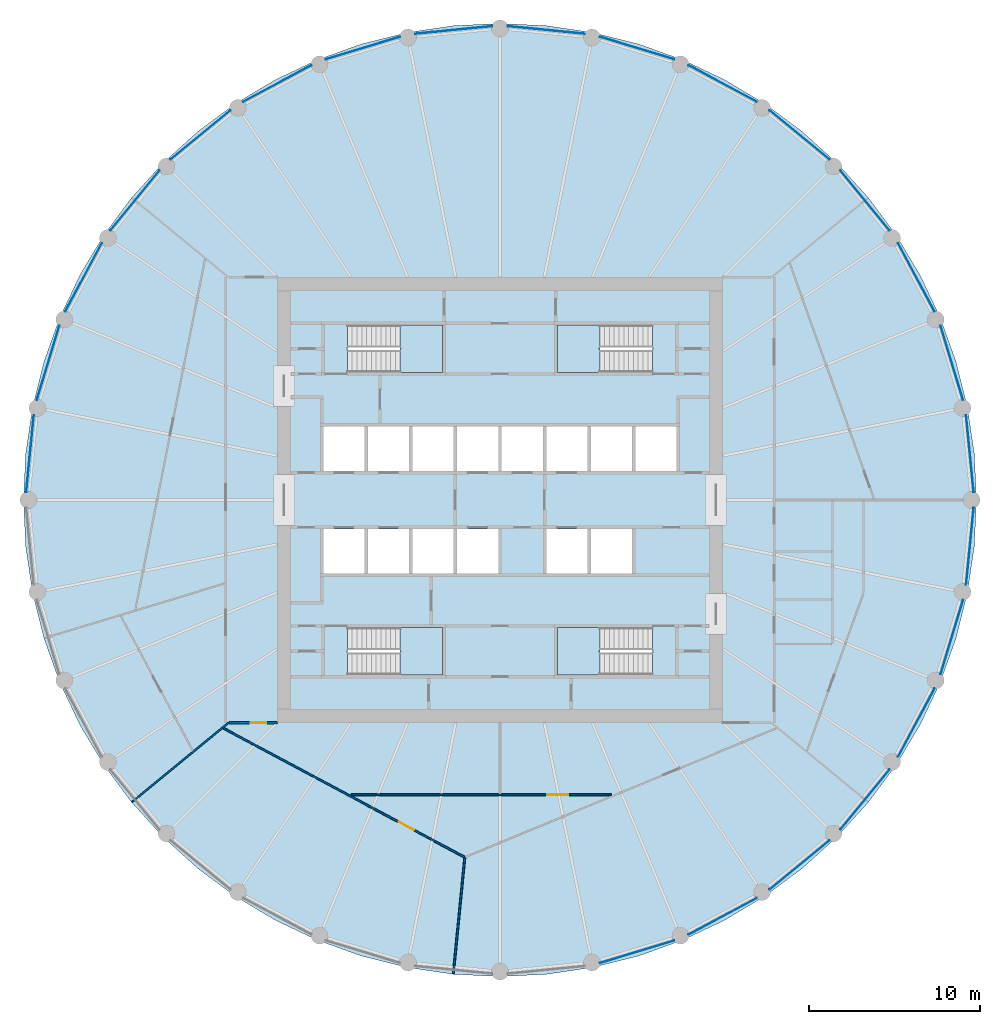
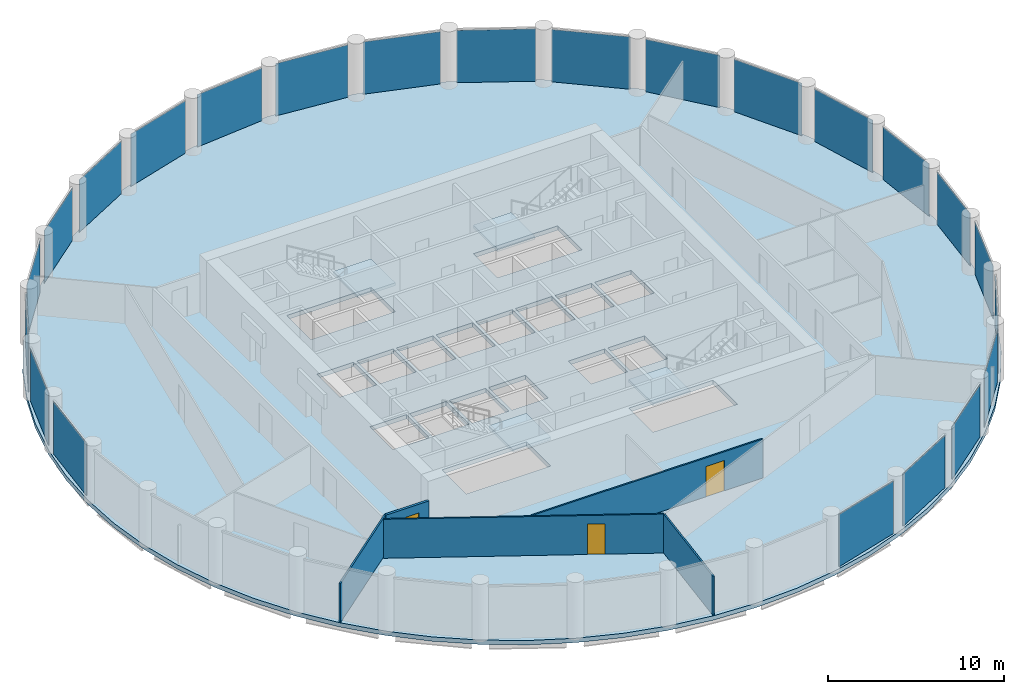
# One storey, part 3 of 8: 23 plates, 5 slabs, 5 walls, 3 doors, 3 openings, 27 elements without a shape of their own.
"""IFC4 building model written with IfcOpenShell, lengths in metres."""

from ifc_helpers import new_model, si_unit, direction, frame, frame_2d, origin, origin_2d, place, context, subcontext, project, spatial, polyline, rectangle, outline, extrude, material, layer, layer_set, type_object, element, fill, aggregate, save


model = new_model("IFC4")

# Units and contexts
model_context = context("Model", 3, precision=1e-05, world=origin(), true_north=direction((0.0, 1.0)))
body_context = subcontext(model_context, "Body", "Model", "MODEL_VIEW")
ifc_project = project(units=[si_unit("LENGTHUNIT", "METRE"), si_unit("AREAUNIT", "SQUARE_METRE"), si_unit("VOLUMEUNIT", "CUBIC_METRE"), si_unit("PLANEANGLEUNIT", "RADIAN"), si_unit("MASSUNIT", "GRAM", prefix="KILO")], contexts=[model_context])

# Site, building, storey
site_placement = place(None, origin())
site = spatial("IfcSite", under=ifc_project, at=site_placement, CompositionType="ELEMENT")
building_placement = place(site_placement, origin())
building = spatial("IfcBuilding", under=site, at=building_placement, Name="Corvane Civic Tower", CompositionType="ELEMENT")
storey_placement = place(building_placement, frame((0.0, 0.0, 205.5)))
storey = spatial("IfcBuildingStorey", under=building, at=storey_placement, Name="L48", CompositionType="ELEMENT", Elevation=205.5)

# Slab
ifc_material_1 = material(Name="Concrete C40/50", Category="concrete")
ifc_layer_1 = layer(ifc_material_1, 0.300048828125)
ifc_layer_set_1 = layer_set([ifc_layer_1], Name="Concrete C40/50")
slab_type_1 = type_object("IfcSlabType", Name="FLOOR SLAB 300", PredefinedType="FLOOR", material=ifc_layer_set_1)
slab_1_placement = place(storey_placement, frame((0.0, 0.0, -0.300048828125)))
element("IfcSlab", 1, at=slab_1_placement, inside=storey, type_object=slab_type_1, Name="SLB-L48", PredefinedType="FLOOR", context=body_context, shape_type="SweptSolid", body=[
    extrude(outline(polyline([(0.0, 27.800048828125), (-2.724853515625, 27.666015625), (-5.423583984375, 27.265869140625), (-8.06982421875, 26.60302734375), (-10.638671875, 25.683837890625), (-13.104736328125, 24.517333984375), (-15.44482421875, 23.11474609375), (-17.63623046875, 21.48974609375), (-19.657470703125, 19.657470703125), (-21.48974609375, 17.63623046875), (-23.11474609375, 15.44482421875), (-24.517333984375, 13.104736328125), (-25.683837890625, 10.638671875), (-26.60302734375, 8.06982421875), (-27.265869140625, 5.423583984375), (-27.666015625, 2.724853515625), (-27.800048828125, 0.0), (-27.666015625, -2.724853515625), (-27.265869140625, -5.423583984375), (-26.60302734375, -8.06982421875), (-25.683837890625, -10.638671875), (-24.517333984375, -13.104736328125), (-23.11474609375, -15.44482421875), (-21.48974609375, -17.63623046875), (-19.657470703125, -19.657470703125), (-17.63623046875, -21.48974609375), (-15.44482421875, -23.11474609375), (-13.104736328125, -24.517333984375), (-10.638671875, -25.683837890625), (-8.06982421875, -26.60302734375), (-5.423583984375, -27.265869140625), (-2.724853515625, -27.666015625), (0.0, -27.800048828125), (2.724853515625, -27.666015625), (5.423583984375, -27.265869140625), (8.06982421875, -26.60302734375), (10.638671875, -25.683837890625), (13.104736328125, -24.517333984375), (15.44482421875, -23.11474609375), (17.63623046875, -21.48974609375), (19.657470703125, -19.657470703125), (21.48974609375, -17.63623046875), (23.11474609375, -15.44482421875), (24.517333984375, -13.104736328125), (25.683837890625, -10.638671875), (26.60302734375, -8.06982421875), (27.265869140625, -5.423583984375), (27.666015625, -2.724853515625), (27.800048828125, 0.0), (27.666015625, 2.724853515625), (27.265869140625, 5.423583984375), (26.60302734375, 8.06982421875), (25.683837890625, 10.638671875), (24.517333984375, 13.104736328125), (23.11474609375, 15.44482421875), (21.48974609375, 17.63623046875), (19.657470703125, 19.657470703125), (17.63623046875, 21.48974609375), (15.44482421875, 23.11474609375), (13.104736328125, 24.517333984375), (10.638671875, 25.683837890625), (8.06982421875, 26.60302734375), (5.423583984375, 27.265869140625), (2.724853515625, 27.666015625), (0.0, 27.800048828125)]), holes=[polyline([(-10.300048828125, 4.300048828125), (-7.89990234375, 4.300048828125), (-7.89990234375, 1.699951171875), (-10.300048828125, 1.699951171875), (-10.300048828125, 4.300048828125)]), polyline([(-5.300048828125, 1.699951171875), (-7.699951171875, 1.699951171875), (-7.699951171875, 4.300048828125), (-5.300048828125, 4.300048828125), (-5.300048828125, 1.699951171875)]), polyline([(-5.10009765625, 4.300048828125), (-2.699951171875, 4.300048828125), (-2.699951171875, 1.699951171875), (-5.10009765625, 1.699951171875), (-5.10009765625, 4.300048828125)]), polyline([(-0.10009765625, 4.300048828125), (-0.10009765625, 1.699951171875), (-2.5, 1.699951171875), (-2.5, 4.300048828125), (-0.10009765625, 4.300048828125)]), polyline([(2.5, 4.300048828125), (2.5, 1.699951171875), (0.10009765625, 1.699951171875), (0.10009765625, 4.300048828125), (2.5, 4.300048828125)]), polyline([(2.699951171875, 4.300048828125), (5.10009765625, 4.300048828125), (5.10009765625, 1.699951171875), (2.699951171875, 1.699951171875), (2.699951171875, 4.300048828125)]), polyline([(5.300048828125, 4.300048828125), (7.699951171875, 4.300048828125), (7.699951171875, 1.699951171875), (5.300048828125, 1.699951171875), (5.300048828125, 4.300048828125)]), polyline([(7.89990234375, 4.300048828125), (10.300048828125, 4.300048828125), (10.300048828125, 1.699951171875), (7.89990234375, 1.699951171875), (7.89990234375, 4.300048828125)]), polyline([(-7.89990234375, -1.699951171875), (-7.89990234375, -4.300048828125), (-10.300048828125, -4.300048828125), (-10.300048828125, -1.699951171875), (-7.89990234375, -1.699951171875)]), polyline([(-5.300048828125, -1.699951171875), (-5.300048828125, -4.300048828125), (-7.699951171875, -4.300048828125), (-7.699951171875, -1.699951171875), (-5.300048828125, -1.699951171875)]), polyline([(-5.10009765625, -4.300048828125), (-5.10009765625, -1.699951171875), (-2.699951171875, -1.699951171875), (-2.699951171875, -4.300048828125), (-5.10009765625, -4.300048828125)]), polyline([(-2.5, -1.699951171875), (-0.10009765625, -1.699951171875), (-0.10009765625, -4.300048828125), (-2.5, -4.300048828125), (-2.5, -1.699951171875)]), polyline([(5.10009765625, -1.699951171875), (5.10009765625, -4.300048828125), (2.699951171875, -4.300048828125), (2.699951171875, -1.699951171875), (5.10009765625, -1.699951171875)]), polyline([(7.699951171875, -1.699951171875), (7.699951171875, -4.300048828125), (5.300048828125, -4.300048828125), (5.300048828125, -1.699951171875), (7.699951171875, -1.699951171875)]), polyline([(8.889892578125, 10.199951171875), (8.889892578125, 7.449951171875), (3.35009765625, 7.449951171875), (3.35009765625, 10.199951171875), (8.889892578125, 10.199951171875)]), polyline([(-8.889892578125, 7.449951171875), (-8.889892578125, 10.199951171875), (-3.35009765625, 10.199951171875), (-3.35009765625, 7.449951171875), (-8.889892578125, 7.449951171875)]), polyline([(8.889892578125, -7.449951171875), (8.889892578125, -10.199951171875), (3.35009765625, -10.199951171875), (3.35009765625, -7.449951171875), (8.889892578125, -7.449951171875)]), polyline([(-8.889892578125, -10.199951171875), (-8.889892578125, -7.449951171875), (-3.35009765625, -7.449951171875), (-3.35009765625, -10.199951171875), (-8.889892578125, -10.199951171875)])]), origin(), (0.0, 0.0, 1.0), 0.300048828125),
])

# Stair, slab
ifc_material_2 = material(Name="Concrete C40/50", Category="concrete")
stair_type = type_object("IfcStairType", Name="ST-STAIR-HALFTURN", PredefinedType="HALF_TURN_STAIR", material=ifc_material_2)
stair_1_placement = place(storey_placement, origin())
stair_1 = element("IfcStair", 2, at=stair_1_placement, inside=storey, type_object=stair_type, Name="L48 Exit stair ST1", PredefinedType="HALF_TURN_STAIR")
ifc_material_3 = material(Name="Concrete C40/50", Category="concrete")
ifc_layer_2 = layer(ifc_material_3, 0.199951171875)
ifc_layer_set_2 = layer_set([ifc_layer_2], Name="Concrete C40/50")
slab_type_2 = type_object("IfcSlabType", Name="ST-LANDING-RC", PredefinedType="LANDING", material=ifc_layer_set_2)
slab_2_placement = place(storey_placement, frame((0.0, 0.0, 1.800048828125)))
slab_2 = element("IfcSlab", 3, at=slab_2_placement, type_object=slab_type_2, Name="ST1 landing 1", PredefinedType="LANDING", context=body_context, shape_type="SweptSolid", body=[
    extrude(outline(polyline([(5.820068359375, 10.199951171875), (3.35009765625, 10.199951171875), (3.35009765625, 7.449951171875), (5.820068359375, 7.449951171875), (5.820068359375, 10.199951171875)])), origin(), (0.0, 0.0, 1.0), 0.199951171875),
])
aggregate(stair_1, [slab_2])

stair_2_placement = place(storey_placement, origin())
stair_2 = element("IfcStair", 4, at=stair_2_placement, inside=storey, type_object=stair_type, Name="L48 Exit stair ST2", PredefinedType="HALF_TURN_STAIR")
slab_3_placement = place(storey_placement, frame((0.0, 0.0, 1.800048828125)))
slab_3 = element("IfcSlab", 5, at=slab_3_placement, type_object=slab_type_2, Name="ST2 landing 1", PredefinedType="LANDING", context=body_context, shape_type="SweptSolid", body=[
    extrude(outline(polyline([(5.820068359375, -7.449951171875), (3.35009765625, -7.449951171875), (3.35009765625, -10.199951171875), (5.820068359375, -10.199951171875), (5.820068359375, -7.449951171875)])), origin(), (0.0, 0.0, 1.0), 0.199951171875),
])
aggregate(stair_2, [slab_3])

stair_3_placement = place(storey_placement, origin())
stair_3 = element("IfcStair", 6, at=stair_3_placement, inside=storey, type_object=stair_type, Name="L48 Exit stair ST3", PredefinedType="HALF_TURN_STAIR")
slab_4_placement = place(storey_placement, frame((0.0, 0.0, 1.800048828125)))
slab_4 = element("IfcSlab", 7, at=slab_4_placement, type_object=slab_type_2, Name="ST3 landing 1", PredefinedType="LANDING", context=body_context, shape_type="SweptSolid", body=[
    extrude(outline(polyline([(-5.820068359375, -10.199951171875), (-3.35009765625, -10.199951171875), (-3.35009765625, -7.449951171875), (-5.820068359375, -7.449951171875), (-5.820068359375, -10.199951171875)])), origin(), (0.0, 0.0, 1.0), 0.199951171875),
])
aggregate(stair_3, [slab_4])

stair_4_placement = place(storey_placement, origin())
stair_4 = element("IfcStair", 8, at=stair_4_placement, inside=storey, type_object=stair_type, Name="L48 Exit stair ST4", PredefinedType="HALF_TURN_STAIR")
slab_5_placement = place(storey_placement, frame((0.0, 0.0, 1.800048828125)))
slab_5 = element("IfcSlab", 9, at=slab_5_placement, type_object=slab_type_2, Name="ST4 landing 1", PredefinedType="LANDING", context=body_context, shape_type="SweptSolid", body=[
    extrude(outline(polyline([(-5.820068359375, 7.449951171875), (-3.35009765625, 7.449951171875), (-3.35009765625, 10.199951171875), (-5.820068359375, 10.199951171875), (-5.820068359375, 7.449951171875)])), origin(), (0.0, 0.0, 1.0), 0.199951171875),
])
aggregate(stair_4, [slab_5])

# Curtain wall, plate
ifc_material_4 = material(Name="Anodised aluminium bronze", Category="aluminium")
curtain_wall_type = type_object("IfcCurtainWallType", Name="TOWER CW-T2 STICK CURTAIN WALL", PredefinedType="NOTDEFINED", material=ifc_material_4)
curtain_wall_1_placement = place(storey_placement, origin())
curtain_wall_1 = element("IfcCurtainWall", 10, at=curtain_wall_1_placement, inside=storey, type_object=curtain_wall_type, Name="Curtain wall CW-T2 L48 bay 01", PredefinedType="NOTDEFINED")
ifc_material_5 = material(Name="Tinted glass", Category="glass")
ifc_layer_3 = layer(ifc_material_5, 0.031982421875)
ifc_layer_set_3 = layer_set([ifc_layer_3], Name="Tinted glass")
plate_type = type_object("IfcPlateType", Name="TOWER CW-T2 PANEL IGU32", PredefinedType="CURTAIN_PANEL", material=ifc_layer_set_3)
plate_1_placement = place(storey_placement, frame((2.699951171875, 27.4140625, 0.0), z_axis=(0.0, 0.0, 1.0), x_axis=(0.995187058378, -0.097993463235, 0.0)))
plate_1 = element("IfcPlate", 11, at=plate_1_placement, type_object=plate_type, Name="Glass panel CW-T2 L48 01.1", PredefinedType="CURTAIN_PANEL", context=body_context, shape_type="SweptSolid", body=[
    extrude(rectangle(XDim=4.517333984375, YDim=0.031982421875, at=origin_2d()), origin(), (0.0, 0.0, 1.0), 3.6298828125),
])
aggregate(curtain_wall_1, [plate_1])

curtain_wall_2_placement = place(storey_placement, origin())
curtain_wall_2 = element("IfcCurtainWall", 12, at=curtain_wall_2_placement, inside=storey, type_object=curtain_wall_type, Name="Curtain wall CW-T2 L48 bay 02", PredefinedType="NOTDEFINED")
plate_2_placement = place(storey_placement, frame((7.996337890625, 26.360595703125, 0.0), z_axis=(0.0, 0.0, 1.0), x_axis=(0.956938843612, -0.290289596069, 0.0)))
plate_2 = element("IfcPlate", 13, at=plate_2_placement, type_object=plate_type, Name="Glass panel CW-T2 L48 02.1", PredefinedType="CURTAIN_PANEL", context=body_context, shape_type="SweptSolid", body=[
    extrude(rectangle(XDim=4.517333984375, YDim=0.031982421875, at=origin_2d()), origin(), (0.0, 0.0, 1.0), 3.6298828125),
])
aggregate(curtain_wall_2, [plate_2])

curtain_wall_3_placement = place(storey_placement, origin())
curtain_wall_3 = element("IfcCurtainWall", 14, at=curtain_wall_3_placement, inside=storey, type_object=curtain_wall_type, Name="Curtain wall CW-T2 L48 bay 03", PredefinedType="NOTDEFINED")
plate_3_placement = place(storey_placement, frame((12.9853515625, 24.294189453125, 0.0), z_axis=(0.0, 0.0, 1.0), x_axis=(0.881920381001, -0.471398389449, 0.0)))
plate_3 = element("IfcPlate", 15, at=plate_3_placement, type_object=plate_type, Name="Glass panel CW-T2 L48 03.1", PredefinedType="CURTAIN_PANEL", context=body_context, shape_type="SweptSolid", body=[
    extrude(rectangle(XDim=4.517333984375, YDim=0.031982421875, at=origin_2d()), origin(), (0.0, 0.0, 1.0), 3.6298828125),
])
aggregate(curtain_wall_3, [plate_3])

curtain_wall_4_placement = place(storey_placement, origin())
curtain_wall_4 = element("IfcCurtainWall", 16, at=curtain_wall_4_placement, inside=storey, type_object=curtain_wall_type, Name="Curtain wall CW-T2 L48 bay 04", PredefinedType="NOTDEFINED")
plate_4_placement = place(storey_placement, frame((17.475341796875, 21.2939453125, 0.0), z_axis=(0.0, 0.0, 1.0), x_axis=(0.773012269331, -0.634391071394, 0.0)))
plate_4 = element("IfcPlate", 17, at=plate_4_placement, type_object=plate_type, Name="Glass panel CW-T2 L48 04.1", PredefinedType="CURTAIN_PANEL", context=body_context, shape_type="SweptSolid", body=[
    extrude(rectangle(XDim=4.517333984375, YDim=0.031982421875, at=origin_2d()), origin(), (0.0, 0.0, 1.0), 3.6298828125),
])
aggregate(curtain_wall_4, [plate_4])

curtain_wall_5_placement = place(storey_placement, origin())
curtain_wall_5 = element("IfcCurtainWall", 18, at=curtain_wall_5_placement, inside=storey, type_object=curtain_wall_type, Name="Curtain wall CW-T2 L48 bay 05", PredefinedType="NOTDEFINED")
plate_5_placement = place(storey_placement, frame((21.2939453125, 17.475341796875, 0.0), z_axis=(0.0, 0.0, 1.0), x_axis=(0.634391071394, -0.773012269331, 0.0)))
plate_5 = element("IfcPlate", 19, at=plate_5_placement, type_object=plate_type, Name="Glass panel CW-T2 L48 05.1", PredefinedType="CURTAIN_PANEL", context=body_context, shape_type="SweptSolid", body=[
    extrude(rectangle(XDim=4.517333984375, YDim=0.031982421875, at=origin_2d()), origin(), (0.0, 0.0, 1.0), 3.6298828125),
])
aggregate(curtain_wall_5, [plate_5])

curtain_wall_6_placement = place(storey_placement, origin())
curtain_wall_6 = element("IfcCurtainWall", 20, at=curtain_wall_6_placement, inside=storey, type_object=curtain_wall_type, Name="Curtain wall CW-T2 L48 bay 06", PredefinedType="NOTDEFINED")
plate_6_placement = place(storey_placement, frame((24.294189453125, 12.9853515625, 0.0), z_axis=(0.0, 0.0, 1.0), x_axis=(0.471398389449, -0.881920381001, 0.0)))
plate_6 = element("IfcPlate", 21, at=plate_6_placement, type_object=plate_type, Name="Glass panel CW-T2 L48 06.1", PredefinedType="CURTAIN_PANEL", context=body_context, shape_type="SweptSolid", body=[
    extrude(rectangle(XDim=4.517333984375, YDim=0.031982421875, at=origin_2d()), origin(), (0.0, 0.0, 1.0), 3.6298828125),
])
aggregate(curtain_wall_6, [plate_6])

curtain_wall_7_placement = place(storey_placement, origin())
curtain_wall_7 = element("IfcCurtainWall", 22, at=curtain_wall_7_placement, inside=storey, type_object=curtain_wall_type, Name="Curtain wall CW-T2 L48 bay 07", PredefinedType="NOTDEFINED")
plate_7_placement = place(storey_placement, frame((26.360595703125, 7.996337890625, 0.0), z_axis=(0.0, 0.0, 1.0), x_axis=(0.290289596069, -0.956938843612, 0.0)))
plate_7 = element("IfcPlate", 23, at=plate_7_placement, type_object=plate_type, Name="Glass panel CW-T2 L48 07.1", PredefinedType="CURTAIN_PANEL", context=body_context, shape_type="SweptSolid", body=[
    extrude(rectangle(XDim=4.517333984375, YDim=0.031982421875, at=origin_2d()), origin(), (0.0, 0.0, 1.0), 3.6298828125),
])
aggregate(curtain_wall_7, [plate_7])

curtain_wall_8_placement = place(storey_placement, origin())
curtain_wall_8 = element("IfcCurtainWall", 24, at=curtain_wall_8_placement, inside=storey, type_object=curtain_wall_type, Name="Curtain wall CW-T2 L48 bay 08", PredefinedType="NOTDEFINED")
plate_8_placement = place(storey_placement, frame((27.4140625, 2.699951171875, 0.0), z_axis=(0.0, 0.0, 1.0), x_axis=(0.097993463235, -0.995187058378, 0.0)))
plate_8 = element("IfcPlate", 25, at=plate_8_placement, type_object=plate_type, Name="Glass panel CW-T2 L48 08.1", PredefinedType="CURTAIN_PANEL", context=body_context, shape_type="SweptSolid", body=[
    extrude(rectangle(XDim=4.517333984375, YDim=0.031982421875, at=origin_2d()), origin(), (0.0, 0.0, 1.0), 3.6298828125),
])
aggregate(curtain_wall_8, [plate_8])

curtain_wall_9_placement = place(storey_placement, origin())
curtain_wall_9 = element("IfcCurtainWall", 26, at=curtain_wall_9_placement, inside=storey, type_object=curtain_wall_type, Name="Curtain wall CW-T2 L48 bay 09", PredefinedType="NOTDEFINED")
plate_9_placement = place(storey_placement, frame((27.4140625, -2.699951171875, 0.0), z_axis=(0.0, 0.0, 1.0), x_axis=(-0.097993463235, -0.995187058378, 0.0)))
plate_9 = element("IfcPlate", 27, at=plate_9_placement, type_object=plate_type, Name="Glass panel CW-T2 L48 09.1", PredefinedType="CURTAIN_PANEL", context=body_context, shape_type="SweptSolid", body=[
    extrude(rectangle(XDim=4.517333984375, YDim=0.031982421875, at=origin_2d()), origin(), (0.0, 0.0, 1.0), 3.6298828125),
])
aggregate(curtain_wall_9, [plate_9])

curtain_wall_10_placement = place(storey_placement, origin())
curtain_wall_10 = element("IfcCurtainWall", 28, at=curtain_wall_10_placement, inside=storey, type_object=curtain_wall_type, Name="Curtain wall CW-T2 L48 bay 10", PredefinedType="NOTDEFINED")
plate_10_placement = place(storey_placement, frame((26.360595703125, -7.996337890625, 0.0), z_axis=(0.0, 0.0, 1.0), x_axis=(-0.290289596069, -0.956938843612, 0.0)))
plate_10 = element("IfcPlate", 29, at=plate_10_placement, type_object=plate_type, Name="Glass panel CW-T2 L48 10.1", PredefinedType="CURTAIN_PANEL", context=body_context, shape_type="SweptSolid", body=[
    extrude(rectangle(XDim=4.517333984375, YDim=0.031982421875, at=origin_2d()), origin(), (0.0, 0.0, 1.0), 3.6298828125),
])
aggregate(curtain_wall_10, [plate_10])

curtain_wall_11_placement = place(storey_placement, origin())
curtain_wall_11 = element("IfcCurtainWall", 30, at=curtain_wall_11_placement, inside=storey, type_object=curtain_wall_type, Name="Curtain wall CW-T2 L48 bay 11", PredefinedType="NOTDEFINED")
plate_11_placement = place(storey_placement, frame((24.294189453125, -12.9853515625, 0.0), z_axis=(0.0, 0.0, 1.0), x_axis=(-0.471398389449, -0.881920381001, 0.0)))
plate_11 = element("IfcPlate", 31, at=plate_11_placement, type_object=plate_type, Name="Glass panel CW-T2 L48 11.1", PredefinedType="CURTAIN_PANEL", context=body_context, shape_type="SweptSolid", body=[
    extrude(rectangle(XDim=4.517333984375, YDim=0.031982421875, at=origin_2d()), origin(), (0.0, 0.0, 1.0), 3.6298828125),
])
aggregate(curtain_wall_11, [plate_11])

curtain_wall_12_placement = place(storey_placement, origin())
curtain_wall_12 = element("IfcCurtainWall", 32, at=curtain_wall_12_placement, inside=storey, type_object=curtain_wall_type, Name="Curtain wall CW-T2 L48 bay 12", PredefinedType="NOTDEFINED")
plate_12_placement = place(storey_placement, frame((21.2939453125, -17.475341796875, 0.0), z_axis=(0.0, 0.0, 1.0), x_axis=(-0.634391071394, -0.773012269331, 0.0)))
plate_12 = element("IfcPlate", 33, at=plate_12_placement, type_object=plate_type, Name="Glass panel CW-T2 L48 12.1", PredefinedType="CURTAIN_PANEL", context=body_context, shape_type="SweptSolid", body=[
    extrude(rectangle(XDim=4.517333984375, YDim=0.031982421875, at=origin_2d()), origin(), (0.0, 0.0, 1.0), 3.6298828125),
])
aggregate(curtain_wall_12, [plate_12])

curtain_wall_13_placement = place(storey_placement, origin())
curtain_wall_13 = element("IfcCurtainWall", 34, at=curtain_wall_13_placement, inside=storey, type_object=curtain_wall_type, Name="Curtain wall CW-T2 L48 bay 13", PredefinedType="NOTDEFINED")
plate_13_placement = place(storey_placement, frame((17.475341796875, -21.2939453125, 0.0), z_axis=(0.0, 0.0, 1.0), x_axis=(-0.773012269331, -0.634391071394, 0.0)))
plate_13 = element("IfcPlate", 35, at=plate_13_placement, type_object=plate_type, Name="Glass panel CW-T2 L48 13.1", PredefinedType="CURTAIN_PANEL", context=body_context, shape_type="SweptSolid", body=[
    extrude(rectangle(XDim=4.517333984375, YDim=0.031982421875, at=origin_2d()), origin(), (0.0, 0.0, 1.0), 3.6298828125),
])
aggregate(curtain_wall_13, [plate_13])

curtain_wall_14_placement = place(storey_placement, origin())
curtain_wall_14 = element("IfcCurtainWall", 36, at=curtain_wall_14_placement, inside=storey, type_object=curtain_wall_type, Name="Curtain wall CW-T2 L48 bay 14", PredefinedType="NOTDEFINED")
plate_14_placement = place(storey_placement, frame((12.9853515625, -24.294189453125, 0.0), z_axis=(0.0, 0.0, 1.0), x_axis=(-0.881920381001, -0.471398389449, 0.0)))
plate_14 = element("IfcPlate", 37, at=plate_14_placement, type_object=plate_type, Name="Glass panel CW-T2 L48 14.1", PredefinedType="CURTAIN_PANEL", context=body_context, shape_type="SweptSolid", body=[
    extrude(rectangle(XDim=4.517333984375, YDim=0.031982421875, at=origin_2d()), origin(), (0.0, 0.0, 1.0), 3.6298828125),
])
aggregate(curtain_wall_14, [plate_14])

curtain_wall_15_placement = place(storey_placement, origin())
curtain_wall_15 = element("IfcCurtainWall", 38, at=curtain_wall_15_placement, inside=storey, type_object=curtain_wall_type, Name="Curtain wall CW-T2 L48 bay 15", PredefinedType="NOTDEFINED")
plate_15_placement = place(storey_placement, frame((7.996337890625, -26.360595703125, 0.0), z_axis=(0.0, 0.0, 1.0), x_axis=(-0.956938843612, -0.290289596069, 0.0)))
plate_15 = element("IfcPlate", 39, at=plate_15_placement, type_object=plate_type, Name="Glass panel CW-T2 L48 15.1", PredefinedType="CURTAIN_PANEL", context=body_context, shape_type="SweptSolid", body=[
    extrude(rectangle(XDim=4.517333984375, YDim=0.031982421875, at=origin_2d()), origin(), (0.0, 0.0, 1.0), 3.6298828125),
])
aggregate(curtain_wall_15, [plate_15])

curtain_wall_16_placement = place(storey_placement, origin())
curtain_wall_16 = element("IfcCurtainWall", 40, at=curtain_wall_16_placement, inside=storey, type_object=curtain_wall_type, Name="Curtain wall CW-T2 L48 bay 25", PredefinedType="NOTDEFINED")
plate_16_placement = place(storey_placement, frame((-27.4140625, 2.699951171875, 0.0), z_axis=(0.0, 0.0, 1.0), x_axis=(0.097993463235, 0.995187058378, 0.0)))
plate_16 = element("IfcPlate", 41, at=plate_16_placement, type_object=plate_type, Name="Glass panel CW-T2 L48 25.1", PredefinedType="CURTAIN_PANEL", context=body_context, shape_type="SweptSolid", body=[
    extrude(rectangle(XDim=4.517333984375, YDim=0.031982421875, at=origin_2d()), origin(), (0.0, 0.0, 1.0), 3.6298828125),
])
aggregate(curtain_wall_16, [plate_16])

curtain_wall_17_placement = place(storey_placement, origin())
curtain_wall_17 = element("IfcCurtainWall", 42, at=curtain_wall_17_placement, inside=storey, type_object=curtain_wall_type, Name="Curtain wall CW-T2 L48 bay 26", PredefinedType="NOTDEFINED")
plate_17_placement = place(storey_placement, frame((-26.360595703125, 7.996337890625, 0.0), z_axis=(0.0, 0.0, 1.0), x_axis=(0.290289596069, 0.956938843612, 0.0)))
plate_17 = element("IfcPlate", 43, at=plate_17_placement, type_object=plate_type, Name="Glass panel CW-T2 L48 26.1", PredefinedType="CURTAIN_PANEL", context=body_context, shape_type="SweptSolid", body=[
    extrude(rectangle(XDim=4.517333984375, YDim=0.031982421875, at=origin_2d()), origin(), (0.0, 0.0, 1.0), 3.6298828125),
])
aggregate(curtain_wall_17, [plate_17])

curtain_wall_18_placement = place(storey_placement, origin())
curtain_wall_18 = element("IfcCurtainWall", 44, at=curtain_wall_18_placement, inside=storey, type_object=curtain_wall_type, Name="Curtain wall CW-T2 L48 bay 27", PredefinedType="NOTDEFINED")
plate_18_placement = place(storey_placement, frame((-24.294189453125, 12.9853515625, 0.0), z_axis=(0.0, 0.0, 1.0), x_axis=(0.471398389449, 0.881920381001, 0.0)))
plate_18 = element("IfcPlate", 45, at=plate_18_placement, type_object=plate_type, Name="Glass panel CW-T2 L48 27.1", PredefinedType="CURTAIN_PANEL", context=body_context, shape_type="SweptSolid", body=[
    extrude(rectangle(XDim=4.517333984375, YDim=0.031982421875, at=origin_2d()), origin(), (0.0, 0.0, 1.0), 3.6298828125),
])
aggregate(curtain_wall_18, [plate_18])

curtain_wall_19_placement = place(storey_placement, origin())
curtain_wall_19 = element("IfcCurtainWall", 46, at=curtain_wall_19_placement, inside=storey, type_object=curtain_wall_type, Name="Curtain wall CW-T2 L48 bay 28", PredefinedType="NOTDEFINED")
plate_19_placement = place(storey_placement, frame((-21.2939453125, 17.475341796875, 0.0), z_axis=(0.0, 0.0, 1.0), x_axis=(0.634391071394, 0.773012269331, 0.0)))
plate_19 = element("IfcPlate", 47, at=plate_19_placement, type_object=plate_type, Name="Glass panel CW-T2 L48 28.1", PredefinedType="CURTAIN_PANEL", context=body_context, shape_type="SweptSolid", body=[
    extrude(rectangle(XDim=4.517333984375, YDim=0.031982421875, at=origin_2d()), origin(), (0.0, 0.0, 1.0), 3.6298828125),
])
aggregate(curtain_wall_19, [plate_19])

curtain_wall_20_placement = place(storey_placement, origin())
curtain_wall_20 = element("IfcCurtainWall", 48, at=curtain_wall_20_placement, inside=storey, type_object=curtain_wall_type, Name="Curtain wall CW-T2 L48 bay 29", PredefinedType="NOTDEFINED")
plate_20_placement = place(storey_placement, frame((-17.475341796875, 21.2939453125, 0.0), z_axis=(0.0, 0.0, 1.0), x_axis=(0.773012269331, 0.634391071394, 0.0)))
plate_20 = element("IfcPlate", 49, at=plate_20_placement, type_object=plate_type, Name="Glass panel CW-T2 L48 29.1", PredefinedType="CURTAIN_PANEL", context=body_context, shape_type="SweptSolid", body=[
    extrude(rectangle(XDim=4.517333984375, YDim=0.031982421875, at=origin_2d()), origin(), (0.0, 0.0, 1.0), 3.6298828125),
])
aggregate(curtain_wall_20, [plate_20])

curtain_wall_21_placement = place(storey_placement, origin())
curtain_wall_21 = element("IfcCurtainWall", 50, at=curtain_wall_21_placement, inside=storey, type_object=curtain_wall_type, Name="Curtain wall CW-T2 L48 bay 30", PredefinedType="NOTDEFINED")
plate_21_placement = place(storey_placement, frame((-12.9853515625, 24.294189453125, 0.0), z_axis=(0.0, 0.0, 1.0), x_axis=(0.881920381001, 0.471398389449, 0.0)))
plate_21 = element("IfcPlate", 51, at=plate_21_placement, type_object=plate_type, Name="Glass panel CW-T2 L48 30.1", PredefinedType="CURTAIN_PANEL", context=body_context, shape_type="SweptSolid", body=[
    extrude(rectangle(XDim=4.517333984375, YDim=0.031982421875, at=origin_2d()), origin(), (0.0, 0.0, 1.0), 3.6298828125),
])
aggregate(curtain_wall_21, [plate_21])

curtain_wall_22_placement = place(storey_placement, origin())
curtain_wall_22 = element("IfcCurtainWall", 52, at=curtain_wall_22_placement, inside=storey, type_object=curtain_wall_type, Name="Curtain wall CW-T2 L48 bay 31", PredefinedType="NOTDEFINED")
plate_22_placement = place(storey_placement, frame((-7.996337890625, 26.360595703125, 0.0), z_axis=(0.0, 0.0, 1.0), x_axis=(0.956938843612, 0.290289596069, 0.0)))
plate_22 = element("IfcPlate", 53, at=plate_22_placement, type_object=plate_type, Name="Glass panel CW-T2 L48 31.1", PredefinedType="CURTAIN_PANEL", context=body_context, shape_type="SweptSolid", body=[
    extrude(rectangle(XDim=4.517333984375, YDim=0.031982421875, at=origin_2d()), origin(), (0.0, 0.0, 1.0), 3.6298828125),
])
aggregate(curtain_wall_22, [plate_22])

curtain_wall_23_placement = place(storey_placement, origin())
curtain_wall_23 = element("IfcCurtainWall", 54, at=curtain_wall_23_placement, inside=storey, type_object=curtain_wall_type, Name="Curtain wall CW-T2 L48 bay 32", PredefinedType="NOTDEFINED")
plate_23_placement = place(storey_placement, frame((-2.699951171875, 27.4140625, 0.0), z_axis=(0.0, 0.0, 1.0), x_axis=(0.995187058378, 0.097993463235, 0.0)))
plate_23 = element("IfcPlate", 55, at=plate_23_placement, type_object=plate_type, Name="Glass panel CW-T2 L48 32.1", PredefinedType="CURTAIN_PANEL", context=body_context, shape_type="SweptSolid", body=[
    extrude(rectangle(XDim=4.517333984375, YDim=0.031982421875, at=origin_2d()), origin(), (0.0, 0.0, 1.0), 3.6298828125),
])
aggregate(curtain_wall_23, [plate_23])

# Wall
ifc_material_6 = material(Name="Plasterboard")
ifc_layer_4 = layer(ifc_material_6, 0.10009765625)
ifc_layer_set_4 = layer_set([ifc_layer_4], Name="Plasterboard")
wall_type_1 = type_object("IfcWallType", Name="Partition 100 plasterboard on studs", PredefinedType="PARTITIONING", material=ifc_layer_set_4)
wall_1_placement = place(storey_placement, frame((-2.719970703125, -27.616455078125, 0.0), z_axis=(0.0, 0.0, 1.0), x_axis=(0.09802284728, 0.99518416457, 0.0)))
element("IfcWall", 56, at=wall_1_placement, inside=storey, type_object=wall_type_1, Name="Partition L48.001", PredefinedType="PARTITIONING", context=body_context, shape_type="SweptSolid", body=[
    extrude(rectangle(XDim=6.774658203125, YDim=0.10009765625, at=frame_2d((3.38720703125, 0.0))), origin(), (0.0, 0.0, 1.0), 2.699951171875),
])

# Wall, opening, door
wall_2_placement = place(storey_placement, frame((-16.122314453125, -13.32080078125, 0.0), z_axis=(0.0, 0.0, 1.0), x_axis=(0.881922545284, -0.471394340355, 0.0)))
wall_2 = element("IfcWall", 57, at=wall_2_placement, inside=storey, type_object=wall_type_1, Name="Partition L48.002", PredefinedType="PARTITIONING", context=body_context, shape_type="SweptSolid", body=[
    extrude(rectangle(XDim=15.920166015625, YDim=0.10009765625, at=frame_2d((7.9599609375, 0.0))), origin(), (0.0, 0.0, 1.0), 2.699951171875),
])
opening_1_placement = place(wall_2_placement, frame((11.59130859375, 0.0, 0.0)))
opening_1 = element("IfcOpeningElement", 58, at=opening_1_placement, cuts=wall_2, Name="Opening L48.003", PredefinedType="OPENING", context=body_context, shape_type="SweptSolid", body=[
    extrude(rectangle(XDim=1.0, YDim=2.10009765625, at=frame_2d((0.5, 1.050048828125))), frame((0.0, 0.06005859375, 0.0), z_axis=(0.0, -1.0, 0.0), x_axis=(1.0, 0.0, 0.0)), (0.0, 0.0, 1.0), 0.1201171875),
])
ifc_material_7 = material(Name="Timber", Category="wood")
door_type_1 = type_object("IfcDoorType", Name="Single door 1000", OperationType="NOTDEFINED", PredefinedType="DOOR", material=ifc_material_7)
door_1_placement = place(opening_1_placement, frame((1.0, 0.0, 0.0), z_axis=(0.0, 0.0, 1.0), x_axis=(-1.0, 0.0, 0.0)))
door_1 = element("IfcDoor", 59, at=door_1_placement, inside=storey, type_object=door_type_1, Name="Door L48.003", OperationType="SINGLE_SWING_LEFT", OverallHeight=2.10009765625, OverallWidth=1.0, PredefinedType="DOOR", context=body_context, shape_type="SweptSolid", body=[
    extrude(rectangle(XDim=1.0, YDim=2.10009765625, at=frame_2d((0.5, 1.050048828125))), frame((0.0, 0.02490234375, 0.0), z_axis=(0.0, -1.0, 0.0), x_axis=(1.0, 0.0, 0.0)), (0.0, 0.0, 1.0), 0.050048828125),
])
fill(opening_1, door_1)

# Wall
wall_3_placement = place(storey_placement, frame((-21.451171875, -17.6044921875, 0.0), z_axis=(0.0, 0.0, 1.0), x_axis=(0.772997895748, 0.634408585352, 0.0)))
element("IfcWall", 60, at=wall_3_placement, inside=storey, type_object=wall_type_1, Name="Partition L48.004", PredefinedType="PARTITIONING", context=body_context, shape_type="SweptSolid", body=[
    extrude(rectangle(XDim=7.240234375, YDim=0.10009765625, at=frame_2d((3.6201171875, 0.0))), origin(), (0.0, 0.0, 1.0), 2.699951171875),
])

# Wall, opening, door
wall_4_placement = place(storey_placement, frame((-8.6650390625, -17.199951171875, 0.0), z_axis=(0.0, 0.0, 1.0), x_axis=(1.0, 0.0, 0.0)))
wall_4 = element("IfcWall", 61, at=wall_4_placement, inside=storey, type_object=wall_type_1, Name="Partition L48.006", PredefinedType="PARTITIONING", context=body_context, shape_type="SweptSolid", body=[
    extrude(rectangle(XDim=15.1513671875, YDim=0.10009765625, at=frame_2d((7.57568359375, 0.0))), origin(), (0.0, 0.0, 1.0), 2.699951171875),
])
opening_2_placement = place(wall_4_placement, frame((11.43408203125, 0.0, 0.0)))
opening_2 = element("IfcOpeningElement", 62, at=opening_2_placement, cuts=wall_4, Name="Opening L48.004", PredefinedType="OPENING", context=body_context, shape_type="SweptSolid", body=[
    extrude(rectangle(XDim=1.199951171875, YDim=2.10009765625, at=frame_2d((0.60009765625, 1.050048828125))), frame((0.0, 0.06005859375, 0.0), z_axis=(0.0, -1.0, 0.0), x_axis=(1.0, 0.0, 0.0)), (0.0, 0.0, 1.0), 0.1201171875),
])
ifc_material_8 = material(Name="Timber", Category="wood")
door_type_2 = type_object("IfcDoorType", Name="Double door 1200", OperationType="NOTDEFINED", PredefinedType="DOOR", material=ifc_material_8)
door_2_placement = place(opening_2_placement, frame((1.199951171875, 0.0, 0.0), z_axis=(0.0, 0.0, 1.0), x_axis=(-1.0, 0.0, 0.0)))
door_2 = element("IfcDoor", 63, at=door_2_placement, inside=storey, type_object=door_type_2, Name="Door L48.004", OperationType="DOUBLE_DOOR_SINGLE_SWING", OverallHeight=2.10009765625, OverallWidth=1.199951171875, PredefinedType="DOOR", context=body_context, shape_type="SweptSolid", body=[
    extrude(rectangle(XDim=1.199951171875, YDim=2.10009765625, at=frame_2d((0.60009765625, 1.050048828125))), frame((0.0, 0.02490234375, 0.0), z_axis=(0.0, -1.0, 0.0), x_axis=(1.0, 0.0, 0.0)), (0.0, 0.0, 1.0), 0.050048828125),
])
fill(opening_2, door_2)

ifc_material_9 = material(Name="Plasterboard")
ifc_layer_5 = layer(ifc_material_9, 0.14990234375)
ifc_layer_set_5 = layer_set([ifc_layer_5], Name="Plasterboard")
wall_type_2 = type_object("IfcWallType", Name="Tenancy wall 150 EI 60", PredefinedType="PARTITIONING", material=ifc_layer_set_5)
wall_5_placement = place(storey_placement, frame((-15.813720703125, -13.0, 0.0), z_axis=(0.0, 0.0, 1.0), x_axis=(1.0, 0.0, 0.0)))
wall_5 = element("IfcWall", 64, at=wall_5_placement, inside=storey, type_object=wall_type_2, Name="Partition L48.011", PredefinedType="PARTITIONING", context=body_context, shape_type="SweptSolid", body=[
    extrude(rectangle(XDim=2.82373046875, YDim=0.14990234375, at=frame_2d((1.411865234375, 0.0))), origin(), (0.0, 0.0, 1.0), 2.699951171875),
])
opening_3_placement = place(wall_5_placement, frame((1.274658203125, 0.0, 0.0)))
opening_3 = element("IfcOpeningElement", 65, at=opening_3_placement, cuts=wall_5, Name="Opening L48.006", PredefinedType="OPENING", context=body_context, shape_type="SweptSolid", body=[
    extrude(rectangle(XDim=0.89990234375, YDim=2.10009765625, at=frame_2d((0.449951171875, 1.050048828125))), frame((0.0, 0.0849609375, 0.0), z_axis=(0.0, -1.0, 0.0), x_axis=(1.0, 0.0, 0.0)), (0.0, 0.0, 1.0), 0.169921875),
])
ifc_material_10 = material(Name="Steel and timber", Category="steel")
door_type_3 = type_object("IfcDoorType", Name="Fire door FD30S 900", OperationType="NOTDEFINED", PredefinedType="DOOR", material=ifc_material_10)
door_3_placement = place(opening_3_placement, frame((0.89990234375, 0.0, 0.0), z_axis=(0.0, 0.0, 1.0), x_axis=(-1.0, 0.0, 0.0)))
door_3 = element("IfcDoor", 66, at=door_3_placement, inside=storey, type_object=door_type_3, Name="Door L48.006", OperationType="SINGLE_SWING_LEFT", OverallHeight=2.10009765625, OverallWidth=0.89990234375, PredefinedType="DOOR", context=body_context, shape_type="SweptSolid", body=[
    extrude(rectangle(XDim=0.89990234375, YDim=2.10009765625, at=frame_2d((0.449951171875, 1.050048828125))), frame((0.0, 0.02490234375, 0.0), z_axis=(0.0, -1.0, 0.0), x_axis=(1.0, 0.0, 0.0)), (0.0, 0.0, 1.0), 0.050048828125),
])
fill(opening_3, door_3)

save(model, "model.ifc")
